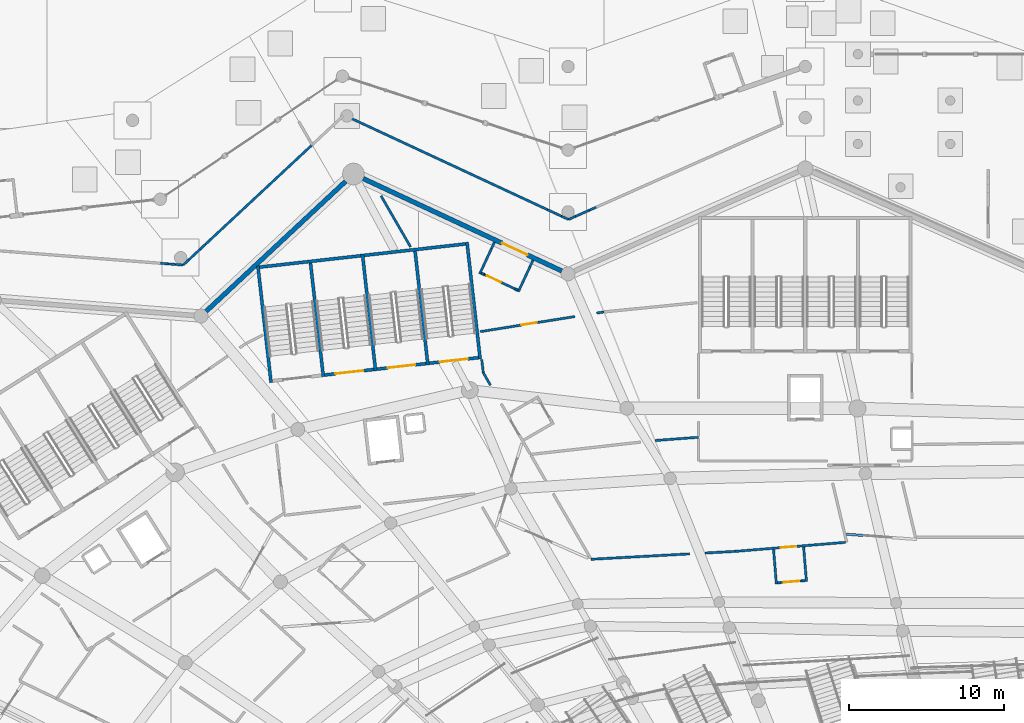
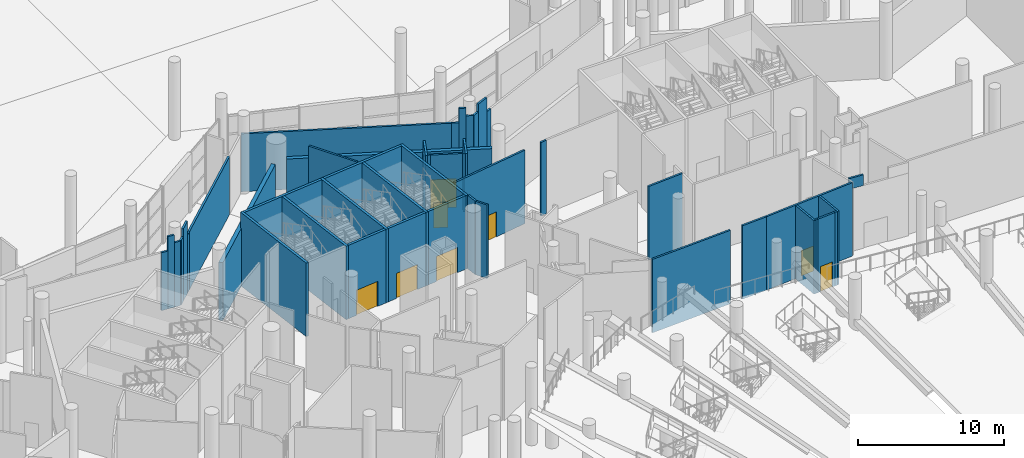
# One storey, part 141 of 255: 48 walls, 8 doors, 8 openings.
"""IFC4 building model written with IfcOpenShell, lengths in metres."""

from ifc_helpers import new_model, si_unit, direction, frame, frame_2d, origin, place, context, subcontext, project, spatial, rectangle, extrude, material, layer, layer_set, type_object, element, fill, save


model = new_model("IFC4")

# Units and contexts
model_context = context("Model", 3, precision=1e-05, world=origin(), true_north=direction((0.0, 1.0)))
body_context = subcontext(model_context, "Body", "Model", "MODEL_VIEW")
ifc_project = project(units=[si_unit("LENGTHUNIT", "METRE"), si_unit("AREAUNIT", "SQUARE_METRE"), si_unit("VOLUMEUNIT", "CUBIC_METRE"), si_unit("PLANEANGLEUNIT", "RADIAN"), si_unit("MASSUNIT", "GRAM", prefix="KILO")], contexts=[model_context])

# Site, building, storey
site_placement = place(None, origin())
site = spatial("IfcSite", under=ifc_project, at=site_placement, CompositionType="ELEMENT")
building_placement = place(site_placement, origin())
building = spatial("IfcBuilding", under=site, at=building_placement, Name="Meseta Stadium", CompositionType="ELEMENT")
storey_placement = place(building_placement, origin())
storey = spatial("IfcBuildingStorey", under=building, at=storey_placement, Name="L00", CompositionType="ELEMENT", Elevation=0.0)

# Walls
ifc_material_1 = material(Name="Concrete C40/50", Category="concrete")
ifc_layer_1 = layer(ifc_material_1, 0.199951171875)
ifc_layer_set_1 = layer_set([ifc_layer_1], Name="Core divider wall 200")
wall_type_1 = type_object("IfcWallType", Name="Core divider wall 200", PredefinedType="SHEAR", material=ifc_layer_set_1)
wall_1_placement = place(storey_placement, frame((-48.241943359375, 100.264892578125, 0.0), z_axis=(0.0, 0.0, 1.0), x_axis=(0.111954577255, -0.993713325176, 0.0)))
element("IfcWall", 1, at=wall_1_placement, inside=storey, type_object=wall_type_1, Name="Core 12 L00 stair A divider wall", PredefinedType="SHEAR", context=body_context, shape_type="SweptSolid", body=[
    extrude(rectangle(XDim=7.599853515625, YDim=0.199951171875, at=frame_2d((3.7998046875, 0.0))), origin(), (0.0, 0.0, 1.0), 6.14990234375),
])
wall_2_placement = place(storey_placement, frame((-54.999267578125, 99.503662109375, 0.0), z_axis=(0.0, 0.0, 1.0), x_axis=(0.111982724367, -0.993710153638, 0.0)))
element("IfcWall", 2, at=wall_2_placement, inside=storey, type_object=wall_type_1, Name="Core 12 L00 stair B divider wall", PredefinedType="SHEAR", context=body_context, shape_type="SweptSolid", body=[
    extrude(rectangle(XDim=7.60009765625, YDim=0.199951171875, at=frame_2d((3.800048828125, 0.0))), origin(), (0.0, 0.0, 1.0), 6.14990234375),
])
ifc_material_2 = material(Name="Concrete C40/50", Category="concrete")
ifc_layer_2 = layer(ifc_material_2, 0.199951171875)
ifc_layer_set_2 = layer_set([ifc_layer_2], Name="Core shaft wall 200")
wall_type_2 = type_object("IfcWallType", Name="Core shaft wall 200", PredefinedType="SHEAR", material=ifc_layer_set_2)
wall_3_placement = place(storey_placement, frame((-44.86328125, 100.645751953125, 0.0), z_axis=(0.0, 0.0, 1.0), x_axis=(0.111951003472, -0.993713727802, 0.0)))
element("IfcWall", 3, at=wall_3_placement, inside=storey, type_object=wall_type_2, Name="Core 12 L00 stair wall A-side", PredefinedType="SHEAR", context=body_context, shape_type="SweptSolid", body=[
    extrude(rectangle(XDim=7.60009765625, YDim=0.199951171875, at=frame_2d((3.800048828125, 0.0))), origin(), (0.0, 0.0, 1.0), 6.14990234375),
])
wall_4_placement = place(storey_placement, frame((-51.62060546875, 99.884521484375, 0.0), z_axis=(0.0, 0.0, 1.0), x_axis=(0.111947429915, -0.993714130389, 0.0)))
element("IfcWall", 4, at=wall_4_placement, inside=storey, type_object=wall_type_2, Name="Core 12 L00 stair wall shared", PredefinedType="SHEAR", context=body_context, shape_type="SweptSolid", body=[
    extrude(rectangle(XDim=7.600341796875, YDim=0.199951171875, at=frame_2d((3.80029296875, 0.0))), origin(), (0.0, 0.0, 1.0), 6.14990234375),
])
wall_5_placement = place(storey_placement, frame((-58.3779296875, 99.123046875, 0.0), z_axis=(0.0, 0.0, 1.0), x_axis=(0.111982724367, -0.993710153638, 0.0)))
element("IfcWall", 5, at=wall_5_placement, inside=storey, type_object=wall_type_2, Name="Core 12 L00 stair wall B-side", PredefinedType="SHEAR", context=body_context, shape_type="SweptSolid", body=[
    extrude(rectangle(XDim=7.60009765625, YDim=0.199951171875, at=frame_2d((3.800048828125, 0.0))), origin(), (0.0, 0.0, 1.0), 6.14990234375),
])
for number, where, z_axis, x_axis, name in (
    (6, (-44.951416015625, 100.53515625, 0.0), (0.0, 0.0, 1.0), (-0.993711575492, -0.111970106426, 0.0), "Core 12 L00 stair A outer end wall"),
    (7, (-51.708740234375, 99.773681640625, 0.0), (0.0, 0.0, 1.0), (-0.993715690617, -0.111933579504, 0.0), "Core 12 L00 stair B outer end wall"),
):
    element("IfcWall", number, at=place(storey_placement, frame(where, z_axis=z_axis, x_axis=x_axis)), inside=storey, type_object=wall_type_2, Name=name, PredefinedType="SHEAR", context=body_context, shape_type="SweptSolid", body=[
        extrude(rectangle(XDim=6.60009765625, YDim=0.199951171875, at=frame_2d((3.300048828125, 0.0))), origin(), (0.0, 0.0, 1.0), 6.14990234375),
    ])

# Wall, opening, door
wall_6_placement = place(storey_placement, frame((-44.123046875, 93.181640625, 0.0), z_axis=(0.0, 0.0, 1.0), x_axis=(-0.993717005286, -0.11192190762, 0.0)))
wall_6 = element("IfcWall", 8, at=wall_6_placement, inside=storey, type_object=wall_type_2, Name="Core 12 L00 stair A1 inner end wall", PredefinedType="SHEAR", context=body_context, shape_type="SweptSolid", body=[
    extrude(rectangle(XDim=3.199951171875, YDim=0.199951171875, at=frame_2d((1.60009765625, 0.0))), origin(), (0.0, 0.0, 1.0), 6.14990234375),
])
opening_1_placement = place(wall_6_placement, frame((0.699951171875, 0.0, 0.0)))
opening_1 = element("IfcOpeningElement", 9, at=opening_1_placement, cuts=wall_6, Name="Opening D167", PredefinedType="OPENING", context=body_context, shape_type="SweptSolid", body=[
    extrude(rectangle(XDim=1.800048828125, YDim=2.10009765625, at=frame_2d((0.89990234375, 1.050048828125))), frame((0.0, 0.10986328125, 0.0), z_axis=(0.0, -1.0, 0.0), x_axis=(1.0, 0.0, 0.0)), (0.0, 0.0, 1.0), 0.219970703125),
])
ifc_material_3 = material(Name="Steel", Category="steel")
door_type_1 = type_object("IfcDoorType", Name="Stair door 1800x2100", OperationType="DOUBLE_DOOR_SINGLE_SWING", PredefinedType="DOOR", material=ifc_material_3)
door_1_placement = place(opening_1_placement, origin())
door_1 = element("IfcDoor", 10, at=door_1_placement, inside=storey, type_object=door_type_1, Name="Stair A1 door 12 L00", OperationType="DOUBLE_DOOR_SINGLE_SWING", OverallHeight=2.10009765625, OverallWidth=1.800048828125, PredefinedType="DOOR", context=body_context, shape_type="SweptSolid", body=[
    extrude(rectangle(XDim=1.800048828125, YDim=2.10009765625, at=frame_2d((0.89990234375, 1.050048828125))), frame((0.0, 0.02490234375, 0.0), z_axis=(0.0, -1.0, 0.0), x_axis=(1.0, 0.0, 0.0)), (0.0, 0.0, 1.0), 0.050048828125),
])
fill(opening_1, door_1)

wall_7_placement = place(storey_placement, frame((-47.501708984375, 92.801025390625, 0.0), z_axis=(0.0, 0.0, 1.0), x_axis=(-0.993707560215, -0.112005735442, 0.0)))
wall_7 = element("IfcWall", 11, at=wall_7_placement, inside=storey, type_object=wall_type_2, Name="Core 12 L00 stair A2 inner end wall", PredefinedType="SHEAR", context=body_context, shape_type="SweptSolid", body=[
    extrude(rectangle(XDim=3.19970703125, YDim=0.199951171875, at=frame_2d((1.599853515625, 0.0))), origin(), (0.0, 0.0, 1.0), 6.14990234375),
])
opening_2_placement = place(wall_7_placement, frame((0.699951171875, 0.0, 0.0)))
opening_2 = element("IfcOpeningElement", 12, at=opening_2_placement, cuts=wall_7, Name="Opening D168", PredefinedType="OPENING", context=body_context, shape_type="SweptSolid", body=[
    extrude(rectangle(XDim=1.800048828125, YDim=2.10009765625, at=frame_2d((0.89990234375, 1.050048828125))), frame((0.0, 0.10986328125, 0.0), z_axis=(0.0, -1.0, 0.0), x_axis=(1.0, 0.0, 0.0)), (0.0, 0.0, 1.0), 0.219970703125),
])
door_2_placement = place(opening_2_placement, origin())
door_2 = element("IfcDoor", 13, at=door_2_placement, inside=storey, type_object=door_type_1, Name="Stair A2 door 12 L00", OperationType="DOUBLE_DOOR_SINGLE_SWING", OverallHeight=2.10009765625, OverallWidth=1.800048828125, PredefinedType="DOOR", context=body_context, shape_type="SweptSolid", body=[
    extrude(rectangle(XDim=1.800048828125, YDim=2.10009765625, at=frame_2d((0.89990234375, 1.050048828125))), frame((0.0, 0.02490234375, 0.0), z_axis=(0.0, -1.0, 0.0), x_axis=(1.0, 0.0, 0.0)), (0.0, 0.0, 1.0), 0.050048828125),
])
fill(opening_2, door_2)

wall_8_placement = place(storey_placement, frame((-50.88037109375, 92.42041015625, 0.0), z_axis=(0.0, 0.0, 1.0), x_axis=(-0.993707560215, -0.112005735442, 0.0)))
wall_8 = element("IfcWall", 14, at=wall_8_placement, inside=storey, type_object=wall_type_2, Name="Core 12 L00 stair B1 inner end wall", PredefinedType="SHEAR", context=body_context, shape_type="SweptSolid", body=[
    extrude(rectangle(XDim=3.19970703125, YDim=0.199951171875, at=frame_2d((1.599853515625, 0.0))), origin(), (0.0, 0.0, 1.0), 6.14990234375),
])
opening_3_placement = place(wall_8_placement, frame((0.699951171875, 0.0, 0.0)))
opening_3 = element("IfcOpeningElement", 15, at=opening_3_placement, cuts=wall_8, Name="Opening D169", PredefinedType="OPENING", context=body_context, shape_type="SweptSolid", body=[
    extrude(rectangle(XDim=1.800048828125, YDim=2.10009765625, at=frame_2d((0.89990234375, 1.050048828125))), frame((0.0, 0.10986328125, 0.0), z_axis=(0.0, -1.0, 0.0), x_axis=(1.0, 0.0, 0.0)), (0.0, 0.0, 1.0), 0.219970703125),
])
door_3_placement = place(opening_3_placement, origin())
door_3 = element("IfcDoor", 16, at=door_3_placement, inside=storey, type_object=door_type_1, Name="Stair B1 door 12 L00", OperationType="DOUBLE_DOOR_SINGLE_SWING", OverallHeight=2.10009765625, OverallWidth=1.800048828125, PredefinedType="DOOR", context=body_context, shape_type="SweptSolid", body=[
    extrude(rectangle(XDim=1.800048828125, YDim=2.10009765625, at=frame_2d((0.89990234375, 1.050048828125))), frame((0.0, 0.02490234375, 0.0), z_axis=(0.0, -1.0, 0.0), x_axis=(1.0, 0.0, 0.0)), (0.0, 0.0, 1.0), 0.050048828125),
])
fill(opening_3, door_3)

# Wall
ifc_material_4 = material(Name="Masonry blockwork", Category="masonry")
ifc_layer_3 = layer(ifc_material_4, 0.14990234375)
ifc_layer_set_3 = layer_set([ifc_layer_3], Name="Partition 150")
wall_type_3 = type_object("IfcWallType", Name="Partition 150", PredefinedType="PARTITIONING", material=ifc_layer_set_3)
wall_9_placement = place(storey_placement, frame((-32.710205078125, 87.82958984375, 0.0), z_axis=(0.0, 0.0, 1.0), x_axis=(0.997265626559, 0.07390040652, 0.0)))
element("IfcWall", 17, at=wall_9_placement, inside=storey, type_object=wall_type_3, Name="Partition L00 L00-cell10-1-0", PredefinedType="PARTITIONING", context=body_context, shape_type="SweptSolid", body=[
    extrude(rectangle(XDim=2.818115234375, YDim=0.14990234375, at=frame_2d((1.4091796875, 0.0))), origin(), (0.0, 0.0, 1.0), 6.14990234375),
])

# Wall, opening, door
wall_10_placement = place(storey_placement, frame((-20.397705078125, 81.247802734375, 0.0), z_axis=(0.0, 0.0, 1.0), x_axis=(-0.99666312122, -0.081624890812, 0.0)))
wall_10 = element("IfcWall", 18, at=wall_10_placement, inside=storey, type_object=wall_type_3, Name="Partition L00 L00-cell10-1-0", PredefinedType="PARTITIONING", context=body_context, shape_type="SweptSolid", body=[
    extrude(rectangle(XDim=7.154541015625, YDim=0.14990234375, at=frame_2d((3.5771484375, 0.0))), origin(), (0.0, 0.0, 1.0), 6.14990234375),
])
opening_4_placement = place(wall_10_placement, frame((3.199951171875, 0.0, 0.0)))
opening_4 = element("IfcOpeningElement", 19, at=opening_4_placement, cuts=wall_10, Name="Opening D562", PredefinedType="OPENING", context=body_context, shape_type="SweptSolid", body=[
    extrude(rectangle(XDim=1.0, YDim=2.10009765625, at=frame_2d((0.5, 1.050048828125))), frame((0.0, 0.0849609375, 0.0), z_axis=(0.0, -1.0, 0.0), x_axis=(1.0, 0.0, 0.0)), (0.0, 0.0, 1.0), 0.169921875),
])
ifc_material_5 = material(Name="Steel", Category="steel")
door_type_2 = type_object("IfcDoorType", Name="Fire door 1000x2100 EI2 60", OperationType="NOTDEFINED", PredefinedType="DOOR", material=ifc_material_5)
door_4_placement = place(opening_4_placement, origin())
door_4 = element("IfcDoor", 20, at=door_4_placement, inside=storey, type_object=door_type_2, Name="Door D562", OperationType="SINGLE_SWING_RIGHT", OverallHeight=2.10009765625, OverallWidth=1.0, PredefinedType="DOOR", context=body_context, shape_type="SweptSolid", body=[
    extrude(rectangle(XDim=1.0, YDim=2.10009765625, at=frame_2d((0.5, 1.050048828125))), frame((0.0, 0.02490234375, 0.0), z_axis=(0.0, -1.0, 0.0), x_axis=(1.0, 0.0, 0.0)), (0.0, 0.0, 1.0), 0.050048828125),
])
fill(opening_4, door_4)

# Walls
wall_11_placement = place(storey_placement, frame((-27.5283203125, 80.663818359375, 0.0), z_axis=(0.0, 0.0, 1.0), x_axis=(-0.99850252447, -0.054705654435, 0.0)))
element("IfcWall", 21, at=wall_11_placement, inside=storey, type_object=wall_type_3, Name="Partition L00 L00-cell10-1-0", PredefinedType="PARTITIONING", context=body_context, shape_type="SweptSolid", body=[
    extrude(rectangle(XDim=1.963623046875, YDim=0.14990234375, at=frame_2d((0.98193359375, 0.0))), origin(), (0.0, 0.0, 1.0), 6.14990234375),
])
wall_12_placement = place(storey_placement, frame((-30.469482421875, 80.502685546875, 0.0), z_axis=(0.0, 0.0, 1.0), x_axis=(-0.998504870622, -0.054662815007, 0.0)))
element("IfcWall", 22, at=wall_12_placement, inside=storey, type_object=wall_type_3, Name="Partition L00 L00-cell10-1-0", PredefinedType="PARTITIONING", context=body_context, shape_type="SweptSolid", body=[
    extrude(rectangle(XDim=6.38232421875, YDim=0.14990234375, at=frame_2d((3.191162109375, 0.0))), origin(), (0.0, 0.0, 1.0), 6.14990234375),
])

# Wall, opening, door
wall_13_placement = place(storey_placement, frame((-37.891357421875, 95.841064453125, 0.0), z_axis=(0.0, 0.0, 1.0), x_axis=(-0.987522859615, -0.157475717929, 0.0)))
wall_13 = element("IfcWall", 23, at=wall_13_placement, inside=storey, type_object=wall_type_3, Name="Partition L00 L00-cell10-2-0", PredefinedType="PARTITIONING", context=body_context, shape_type="SweptSolid", body=[
    extrude(rectangle(XDim=6.19677734375, YDim=0.14990234375, at=frame_2d((3.098388671875, 0.0))), origin(), (0.0, 0.0, 1.0), 6.14990234375),
])
opening_5_placement = place(wall_13_placement, frame((2.496826171875, 0.0, 0.0)))
opening_5 = element("IfcOpeningElement", 24, at=opening_5_placement, cuts=wall_13, Name="Opening D564", PredefinedType="OPENING", context=body_context, shape_type="SweptSolid", body=[
    extrude(rectangle(XDim=1.0, YDim=2.10009765625, at=frame_2d((0.5, 1.050048828125))), frame((0.0, 0.0849609375, 0.0), z_axis=(0.0, -1.0, 0.0), x_axis=(1.0, 0.0, 0.0)), (0.0, 0.0, 1.0), 0.169921875),
])
door_5_placement = place(opening_5_placement, origin())
door_5 = element("IfcDoor", 25, at=door_5_placement, inside=storey, type_object=door_type_2, Name="Door D564", OperationType="SINGLE_SWING_LEFT", OverallHeight=2.10009765625, OverallWidth=1.0, PredefinedType="DOOR", context=body_context, shape_type="SweptSolid", body=[
    extrude(rectangle(XDim=1.0, YDim=2.10009765625, at=frame_2d((0.5, 1.050048828125))), frame((0.0, 0.02490234375, 0.0), z_axis=(0.0, -1.0, 0.0), x_axis=(1.0, 0.0, 0.0)), (0.0, 0.0, 1.0), 0.050048828125),
])
fill(opening_5, door_5)

# Walls
wall_14_placement = place(storey_placement, frame((-36.479248046875, 96.066162109375, 0.0), z_axis=(0.0, 0.0, 1.0), x_axis=(0.987478956235, 0.157750787614, 0.0)))
element("IfcWall", 26, at=wall_14_placement, inside=storey, type_object=wall_type_3, Name="Partition L00 L00-cell10-2-0", PredefinedType="PARTITIONING", context=body_context, shape_type="SweptSolid", body=[
    extrude(rectangle(XDim=0.4765625, YDim=0.14990234375, at=frame_2d((0.23828125, 0.0))), origin(), (0.0, 0.0, 1.0), 6.14990234375),
])
wall_15_placement = place(storey_placement, frame((-43.346435546875, 91.406005859375, 0.0), z_axis=(0.0, 0.0, 1.0), x_axis=(-0.500395505551, 0.865796938101, 0.0)))
element("IfcWall", 27, at=wall_15_placement, inside=storey, type_object=wall_type_3, Name="Partition L00 L00-cell10-2-0", PredefinedType="PARTITIONING", context=body_context, shape_type="SweptSolid", body=[
    extrude(rectangle(XDim=0.931396484375, YDim=0.14990234375, at=frame_2d((0.4658203125, 0.0))), origin(), (0.0, 0.0, 1.0), 6.14990234375),
])
wall_16_placement = place(storey_placement, frame((-43.8125, 92.21240234375, 0.0), z_axis=(0.0, 0.0, 1.0), x_axis=(-0.112117924941, 0.993694908363, 0.0)))
element("IfcWall", 28, at=wall_16_placement, inside=storey, type_object=wall_type_3, Name="Partition L00 L00-cell10-2-0", PredefinedType="PARTITIONING", context=body_context, shape_type="SweptSolid", body=[
    extrude(rectangle(XDim=0.85791015625, YDim=0.14990234375, at=frame_2d((0.428955078125, 0.0))), origin(), (0.0, 0.0, 1.0), 6.14990234375),
])
wall_17_placement = place(storey_placement, frame((-48.508056640625, 100.335693359375, 0.0), z_axis=(0.0, 0.0, 1.0), x_axis=(-0.500439359674, 0.865771590715, 0.0)))
element("IfcWall", 29, at=wall_17_placement, inside=storey, type_object=wall_type_3, Name="Partition L00 L00-cell10-3-0", PredefinedType="PARTITIONING", context=body_context, shape_type="SweptSolid", body=[
    extrude(rectangle(XDim=3.82177734375, YDim=0.14990234375, at=frame_2d((1.910888671875, 0.0))), origin(), (0.0, 0.0, 1.0), 6.14990234375),
])
wall_18_placement = place(storey_placement, frame((-36.51904296875, 102.905029296875, 0.0), z_axis=(0.0, 0.0, 1.0), x_axis=(-0.914203605886, -0.405255187486, 0.0)))
element("IfcWall", 30, at=wall_18_placement, inside=storey, type_object=wall_type_3, Name="Partition L00 L00-ring10-0", PredefinedType="PARTITIONING", context=body_context, shape_type="SweptSolid", body=[
    extrude(rectangle(XDim=0.4873046875, YDim=0.14990234375, at=frame_2d((0.24365234375, 0.0))), origin(), (0.0, 0.0, 1.0), 4.85009765625),
])
wall_19_placement = place(storey_placement, frame((-36.964599609375, 102.70751953125, 0.0), z_axis=(0.0, 0.0, 1.0), x_axis=(-0.914193086295, -0.4052789175, 0.0)))
element("IfcWall", 31, at=wall_19_placement, inside=storey, type_object=wall_type_3, Name="Partition L00 L00-ring10-0", PredefinedType="PARTITIONING", context=body_context, shape_type="SweptSolid", body=[
    extrude(rectangle(XDim=0.975341796875, YDim=0.14990234375, at=frame_2d((0.48779296875, 0.0))), origin(), (0.0, 0.0, 1.0), 6.050048828125),
])
wall_20_placement = place(storey_placement, frame((-37.856201171875, 102.312255859375, 0.0), z_axis=(0.0, 0.0, 1.0), x_axis=(-0.914017959029, -0.405673724281, 0.0)))
element("IfcWall", 32, at=wall_20_placement, inside=storey, type_object=wall_type_3, Name="Partition L00 L00-ring10-0", PredefinedType="PARTITIONING", context=body_context, shape_type="SweptSolid", body=[
    extrude(rectangle(XDim=0.487548828125, YDim=0.14990234375, at=frame_2d((0.24365234375, 0.0))), origin(), (0.0, 0.0, 1.0), 5.39990234375),
])
wall_21_placement = place(storey_placement, frame((-38.3017578125, 102.114501953125, 0.0), z_axis=(0.0, 0.0, 1.0), x_axis=(-0.90658206108, 0.422029580158, 0.0)))
element("IfcWall", 33, at=wall_21_placement, inside=storey, type_object=wall_type_3, Name="Partition L00 L00-ring10-0", PredefinedType="PARTITIONING", context=body_context, shape_type="SweptSolid", body=[
    extrude(rectangle(XDim=0.499755859375, YDim=0.14990234375, at=frame_2d((0.25, 0.0))), origin(), (0.0, 0.0, 1.0), 5.39990234375),
])
wall_22_placement = place(storey_placement, frame((-38.7548828125, 102.325439453125, 0.0), z_axis=(0.0, 0.0, 1.0), x_axis=(-0.906755828453, 0.421656101067, 0.0)))
element("IfcWall", 34, at=wall_22_placement, inside=storey, type_object=wall_type_3, Name="Partition L00 L00-ring10-0", PredefinedType="PARTITIONING", context=body_context, shape_type="SweptSolid", body=[
    extrude(rectangle(XDim=0.500244140625, YDim=0.14990234375, at=frame_2d((0.25, 0.0))), origin(), (0.0, 0.0, 1.0), 6.050048828125),
])
wall_23_placement = place(storey_placement, frame((-39.20849609375, 102.536376953125, 0.0), z_axis=(0.0, 0.0, 1.0), x_axis=(-0.90658206108, 0.422029580158, 0.0)))
element("IfcWall", 35, at=wall_23_placement, inside=storey, type_object=wall_type_3, Name="Partition L00 L00-ring10-0", PredefinedType="PARTITIONING", context=body_context, shape_type="SweptSolid", body=[
    extrude(rectangle(XDim=0.499755859375, YDim=0.14990234375, at=frame_2d((0.25, 0.0))), origin(), (0.0, 0.0, 1.0), 4.85009765625),
])
wall_24_placement = place(storey_placement, frame((-39.66162109375, 102.747314453125, 0.0), z_axis=(0.0, 0.0, 1.0), x_axis=(-0.906705987017, 0.421763266664, 0.0)))
element("IfcWall", 36, at=wall_24_placement, inside=storey, type_object=wall_type_3, Name="Partition L00 L00-ring10-0", PredefinedType="PARTITIONING", context=body_context, shape_type="SweptSolid", body=[
    extrude(rectangle(XDim=14.49853515625, YDim=0.14990234375, at=frame_2d((7.249267578125, 0.0))), origin(), (0.0, 0.0, 1.0), 4.85009765625),
])
wall_25_placement = place(storey_placement, frame((-54.904296875, 106.908203125, 0.0), z_axis=(0.0, 0.0, 1.0), x_axis=(-0.731553048923, -0.681784523594, 0.0)))
element("IfcWall", 37, at=wall_25_placement, inside=storey, type_object=wall_type_3, Name="Partition L00 L00-ring11-0", PredefinedType="PARTITIONING", context=body_context, shape_type="SweptSolid", body=[
    extrude(rectangle(XDim=9.37451171875, YDim=0.14990234375, at=frame_2d((4.687255859375, 0.0))), origin(), (0.0, 0.0, 1.0), 4.85009765625),
])
wall_26_placement = place(storey_placement, frame((-61.76220703125, 100.516845703125, 0.0), z_axis=(0.0, 0.0, 1.0), x_axis=(-0.731417207669, -0.681930251805, 0.0)))
element("IfcWall", 38, at=wall_26_placement, inside=storey, type_object=wall_type_3, Name="Partition L00 L00-ring11-0", PredefinedType="PARTITIONING", context=body_context, shape_type="SweptSolid", body=[
    extrude(rectangle(XDim=0.493408203125, YDim=0.14990234375, at=frame_2d((0.24658203125, 0.0))), origin(), (0.0, 0.0, 1.0), 4.85009765625),
])
wall_27_placement = place(storey_placement, frame((-62.123046875, 100.180419921875, 0.0), z_axis=(0.0, 0.0, 1.0), x_axis=(-0.731655638736, -0.681674428379, 0.0)))
element("IfcWall", 39, at=wall_27_placement, inside=storey, type_object=wall_type_3, Name="Partition L00 L00-ring11-0", PredefinedType="PARTITIONING", context=body_context, shape_type="SweptSolid", body=[
    extrude(rectangle(XDim=0.98681640625, YDim=0.14990234375, at=frame_2d((0.493408203125, 0.0))), origin(), (0.0, 0.0, 1.0), 6.050048828125),
])
wall_28_placement = place(storey_placement, frame((-62.844970703125, 99.5078125, 0.0), z_axis=(0.0, 0.0, 1.0), x_axis=(-0.731417207669, -0.681930251805, 0.0)))
element("IfcWall", 40, at=wall_28_placement, inside=storey, type_object=wall_type_3, Name="Partition L00 L00-ring11-0", PredefinedType="PARTITIONING", context=body_context, shape_type="SweptSolid", body=[
    extrude(rectangle(XDim=0.493408203125, YDim=0.14990234375, at=frame_2d((0.24658203125, 0.0))), origin(), (0.0, 0.0, 1.0), 5.39990234375),
])
wall_29_placement = place(storey_placement, frame((-63.205810546875, 99.17138671875, 0.0), z_axis=(0.0, 0.0, 1.0), x_axis=(-0.997051534558, 0.076734851503, 0.0)))
element("IfcWall", 41, at=wall_29_placement, inside=storey, type_object=wall_type_3, Name="Partition L00 L00-ring11-0", PredefinedType="PARTITIONING", context=body_context, shape_type="SweptSolid", body=[
    extrude(rectangle(XDim=0.48681640625, YDim=0.14990234375, at=frame_2d((0.243408203125, 0.0))), origin(), (0.0, 0.0, 1.0), 5.39990234375),
])
wall_30_placement = place(storey_placement, frame((-63.691162109375, 99.208740234375, 0.0), z_axis=(0.0, 0.0, 1.0), x_axis=(-0.997054485502, 0.076696498885, 0.0)))
element("IfcWall", 42, at=wall_30_placement, inside=storey, type_object=wall_type_3, Name="Partition L00 L00-ring11-0", PredefinedType="PARTITIONING", context=body_context, shape_type="SweptSolid", body=[
    extrude(rectangle(XDim=0.487060546875, YDim=0.14990234375, at=frame_2d((0.24365234375, 0.0))), origin(), (0.0, 0.0, 1.0), 6.050048828125),
])
wall_31_placement = place(storey_placement, frame((-64.1767578125, 99.24609375, 0.0), z_axis=(0.0, 0.0, 1.0), x_axis=(-0.99701303965, 0.07723340448, 0.0)))
element("IfcWall", 43, at=wall_31_placement, inside=storey, type_object=wall_type_3, Name="Partition L00 L00-ring11-0", PredefinedType="PARTITIONING", context=body_context, shape_type="SweptSolid", body=[
    extrude(rectangle(XDim=0.48681640625, YDim=0.14990234375, at=frame_2d((0.243408203125, 0.0))), origin(), (0.0, 0.0, 1.0), 4.85009765625),
])
wall_32_placement = place(storey_placement, frame((-23.107421875, 80.95068359375, 0.0), z_axis=(0.0, 0.0, 1.0), x_axis=(0.081590765124, -0.996665915463, 0.0)))
element("IfcWall", 44, at=wall_32_placement, inside=storey, type_object=wall_type_3, Name="Partition L00 L00-cell10-1-0 vestibule", PredefinedType="PARTITIONING", context=body_context, shape_type="SweptSolid", body=[
    extrude(rectangle(XDim=2.250244140625, YDim=0.14990234375, at=frame_2d((1.125, 0.0))), origin(), (0.0, 0.0, 1.0), 6.14990234375),
])
wall_33_placement = place(storey_placement, frame((-25.05078125, 80.79150390625, 0.0), z_axis=(0.0, 0.0, 1.0), x_axis=(0.081599589024, -0.996665193067, 0.0)))
element("IfcWall", 45, at=wall_33_placement, inside=storey, type_object=wall_type_3, Name="Partition L00 L00-cell10-1-0 vestibule", PredefinedType="PARTITIONING", context=body_context, shape_type="SweptSolid", body=[
    extrude(rectangle(XDim=2.25, YDim=0.14990234375, at=frame_2d((1.125, 0.0))), origin(), (0.0, 0.0, 1.0), 6.14990234375),
])
wall_34_placement = place(storey_placement, frame((-23.004638671875, 78.776611328125, 0.0), z_axis=(0.0, 0.0, 1.0), x_axis=(-0.996752909031, -0.080521042835, 0.0)))
element("IfcWall", 46, at=wall_34_placement, inside=storey, type_object=wall_type_3, Name="Partition L00 L00-cell10-1-0 vestibule", PredefinedType="PARTITIONING", context=body_context, shape_type="SweptSolid", body=[
    extrude(rectangle(XDim=0.2001953125, YDim=0.14990234375, at=frame_2d((0.10009765625, 0.0))), origin(), (0.0, 0.0, 1.0), 6.14990234375),
])

# Wall, opening, door
wall_35_placement = place(storey_placement, frame((-23.2041015625, 78.760498046875, 0.0), z_axis=(0.0, 0.0, 1.0), x_axis=(-0.996663803184, -0.08161656341, 0.0)))
wall_35 = element("IfcWall", 47, at=wall_35_placement, inside=storey, type_object=wall_type_3, Name="Partition L00 L00-cell10-1-0 vestibule", PredefinedType="PARTITIONING", context=body_context, shape_type="SweptSolid", body=[
    extrude(rectangle(XDim=1.39990234375, YDim=0.14990234375, at=frame_2d((0.699951171875, 0.0))), origin(), (0.0, 0.0, 1.0), 6.14990234375),
])
opening_6_placement = place(wall_35_placement, frame((0.199951171875, 0.0, 0.0)))
opening_6 = element("IfcOpeningElement", 48, at=opening_6_placement, cuts=wall_35, Name="Opening D838", PredefinedType="OPENING", context=body_context, shape_type="SweptSolid", body=[
    extrude(rectangle(XDim=1.0, YDim=2.10009765625, at=frame_2d((0.5, 1.050048828125))), frame((0.0, 0.0849609375, 0.0), z_axis=(0.0, -1.0, 0.0), x_axis=(1.0, 0.0, 0.0)), (0.0, 0.0, 1.0), 0.169921875),
])
door_6_placement = place(opening_6_placement, origin())
door_6 = element("IfcDoor", 49, at=door_6_placement, inside=storey, type_object=door_type_2, Name="Vestibule door L00 L00-cell10-1-0", OperationType="SINGLE_SWING_RIGHT", OverallHeight=2.10009765625, OverallWidth=1.0, PredefinedType="DOOR", context=body_context, shape_type="SweptSolid", body=[
    extrude(rectangle(XDim=1.0, YDim=2.10009765625, at=frame_2d((0.5, 1.050048828125))), frame((0.0, 0.02490234375, 0.0), z_axis=(0.0, -1.0, 0.0), x_axis=(1.0, 0.0, 0.0)), (0.0, 0.0, 1.0), 0.050048828125),
])
fill(opening_6, door_6)

# Walls
wall_36_placement = place(storey_placement, frame((-24.599365234375, 78.646240234375, 0.0), z_axis=(0.0, 0.0, 1.0), x_axis=(-0.996646099789, -0.081832461625, 0.0)))
element("IfcWall", 50, at=wall_36_placement, inside=storey, type_object=wall_type_3, Name="Partition L00 L00-cell10-1-0 vestibule", PredefinedType="PARTITIONING", context=body_context, shape_type="SweptSolid", body=[
    extrude(rectangle(XDim=0.199951171875, YDim=0.14990234375, at=frame_2d((0.10009765625, 0.0))), origin(), (0.0, 0.0, 1.0), 6.14990234375),
])
wall_37_placement = place(storey_placement, frame((-43.0888671875, 100.646728515625, 0.0), z_axis=(0.0, 0.0, 1.0), x_axis=(-0.421429993288, -0.906860937938, 0.0)))
element("IfcWall", 51, at=wall_37_placement, inside=storey, type_object=wall_type_3, Name="Partition L00 L00-cell10-3-0 vestibule", PredefinedType="PARTITIONING", context=body_context, shape_type="SweptSolid", body=[
    extrude(rectangle(XDim=0.4501953125, YDim=0.14990234375, at=frame_2d((0.22509765625, 0.0))), origin(), (0.0, 0.0, 1.0), 4.85009765625),
])
wall_38_placement = place(storey_placement, frame((-43.278564453125, 100.238525390625, 0.0), z_axis=(0.0, 0.0, 1.0), x_axis=(-0.421860420743, -0.906660788504, 0.0)))
element("IfcWall", 52, at=wall_38_placement, inside=storey, type_object=wall_type_3, Name="Partition L00 L00-cell10-3-0 vestibule", PredefinedType="PARTITIONING", context=body_context, shape_type="SweptSolid", body=[
    extrude(rectangle(XDim=1.7998046875, YDim=0.14990234375, at=frame_2d((0.89990234375, 0.0))), origin(), (0.0, 0.0, 1.0), 6.14990234375),
])
wall_39_placement = place(storey_placement, frame((-40.595458984375, 99.48681640625, 0.0), z_axis=(0.0, 0.0, 1.0), x_axis=(-0.42163737055, -0.90676453821, 0.0)))
element("IfcWall", 53, at=wall_39_placement, inside=storey, type_object=wall_type_3, Name="Partition L00 L00-cell10-3-0 vestibule", PredefinedType="PARTITIONING", context=body_context, shape_type="SweptSolid", body=[
    extrude(rectangle(XDim=0.449951171875, YDim=0.14990234375, at=frame_2d((0.22509765625, 0.0))), origin(), (0.0, 0.0, 1.0), 4.85009765625),
])
wall_40_placement = place(storey_placement, frame((-40.78515625, 99.078857421875, 0.0), z_axis=(0.0, 0.0, 1.0), x_axis=(-0.421697036053, -0.906736791899, 0.0)))
element("IfcWall", 54, at=wall_40_placement, inside=storey, type_object=wall_type_3, Name="Partition L00 L00-cell10-3-0 vestibule", PredefinedType="PARTITIONING", context=body_context, shape_type="SweptSolid", body=[
    extrude(rectangle(XDim=1.800048828125, YDim=0.14990234375, at=frame_2d((0.89990234375, 0.0))), origin(), (0.0, 0.0, 1.0), 6.14990234375),
])
wall_41_placement = place(storey_placement, frame((-43.93798828125, 98.642822265625, 0.0), z_axis=(0.0, 0.0, 1.0), x_axis=(0.906775442705, -0.421613918778, 0.0)))
element("IfcWall", 55, at=wall_41_placement, inside=storey, type_object=wall_type_3, Name="Partition L00 L00-cell10-3-0 vestibule", PredefinedType="PARTITIONING", context=body_context, shape_type="SweptSolid", body=[
    extrude(rectangle(XDim=0.19970703125, YDim=0.14990234375, at=frame_2d((0.099853515625, 0.0))), origin(), (0.0, 0.0, 1.0), 6.14990234375),
])

# Wall, opening, door
wall_42_placement = place(storey_placement, frame((-43.7568359375, 98.55859375, 0.0), z_axis=(0.0, 0.0, 1.0), x_axis=(0.906698414225, -0.421779546258, 0.0)))
wall_42 = element("IfcWall", 56, at=wall_42_placement, inside=storey, type_object=wall_type_3, Name="Partition L00 L00-cell10-3-0 vestibule", PredefinedType="PARTITIONING", context=body_context, shape_type="SweptSolid", body=[
    extrude(rectangle(XDim=2.2001953125, YDim=0.14990234375, at=frame_2d((1.10009765625, 0.0))), origin(), (0.0, 0.0, 1.0), 6.14990234375),
])
opening_7_placement = place(wall_42_placement, frame((0.199951171875, 0.0, 0.0)))
opening_7 = element("IfcOpeningElement", 57, at=opening_7_placement, cuts=wall_42, Name="Opening D840", PredefinedType="OPENING", context=body_context, shape_type="SweptSolid", body=[
    extrude(rectangle(XDim=1.0, YDim=2.10009765625, at=frame_2d((0.5, 1.050048828125))), frame((0.0, 0.0849609375, 0.0), z_axis=(0.0, -1.0, 0.0), x_axis=(1.0, 0.0, 0.0)), (0.0, 0.0, 1.0), 0.169921875),
])
door_7_placement = place(opening_7_placement, origin())
door_7 = element("IfcDoor", 58, at=door_7_placement, inside=storey, type_object=door_type_2, Name="Vestibule door L00 L00-cell10-3-0", OperationType="SINGLE_SWING_LEFT", OverallHeight=2.10009765625, OverallWidth=1.0, PredefinedType="DOOR", context=body_context, shape_type="SweptSolid", body=[
    extrude(rectangle(XDim=1.0, YDim=2.10009765625, at=frame_2d((0.5, 1.050048828125))), frame((0.0, 0.02490234375, 0.0), z_axis=(0.0, -1.0, 0.0), x_axis=(1.0, 0.0, 0.0)), (0.0, 0.0, 1.0), 0.050048828125),
])
fill(opening_7, door_7)

# Walls
wall_43_placement = place(storey_placement, frame((-41.761962890625, 97.630615234375, 0.0), z_axis=(0.0, 0.0, 1.0), x_axis=(0.906775442705, -0.421613918778, 0.0)))
element("IfcWall", 59, at=wall_43_placement, inside=storey, type_object=wall_type_3, Name="Partition L00 L00-cell10-3-0 vestibule", PredefinedType="PARTITIONING", context=body_context, shape_type="SweptSolid", body=[
    extrude(rectangle(XDim=0.19970703125, YDim=0.14990234375, at=frame_2d((0.099853515625, 0.0))), origin(), (0.0, 0.0, 1.0), 6.14990234375),
])
wall_44_placement = place(storey_placement, frame((-19.2470703125, 81.692138671875, 5.25), z_axis=(0.0, 0.0, 1.0), x_axis=(-0.997297350325, 0.073471048956, 0.0)))
element("IfcWall", 60, at=wall_44_placement, inside=storey, type_object=wall_type_3, Name="Escape corridor discharge wall L00 core 11", PredefinedType="PARTITIONING", context=body_context, shape_type="SweptSolid", body=[
    extrude(rectangle(XDim=1.099853515625, YDim=0.14990234375, at=frame_2d((0.5498046875, 0.0))), origin(), (0.0, 0.0, 1.0), 0.89990234375),
])

# Wall, opening, door
ifc_material_6 = material(Name="White precast concrete C40/50", Category="concrete")
ifc_layer_4 = layer(ifc_material_6, 0.300048828125)
ifc_layer_set_4 = layer_set([ifc_layer_4], Name="Pleated panel wall 300 concourse")
wall_type_4 = type_object("IfcWallType", Name="Pleated panel wall 300 concourse", PredefinedType="SOLIDWALL", material=ifc_layer_set_4)
wall_45_placement = place(storey_placement, frame((-51.56884765625, 104.7568359375, 0.0), z_axis=(0.0, 0.0, 1.0), x_axis=(0.906698705786, -0.421778919491, 0.0)))
wall_45 = element("IfcWall", 61, at=wall_45_placement, inside=storey, type_object=wall_type_4, Name="Pleated facade panel L00 F21", PredefinedType="SOLIDWALL", context=body_context, shape_type="SweptSolid", body=[
    extrude(rectangle(XDim=14.14794921875, YDim=0.300048828125, at=frame_2d((7.073974609375, 0.0))), origin(), (0.0, 0.0, 1.0), 4.85009765625),
])
opening_8_placement = place(wall_45_placement, frame((9.8974609375, 0.0, 0.0)))
opening_8 = element("IfcOpeningElement", 62, at=opening_8_placement, cuts=wall_45, Name="Opening D975", PredefinedType="OPENING", context=body_context, shape_type="SweptSolid", body=[
    extrude(rectangle(XDim=1.800048828125, YDim=2.39990234375, at=frame_2d((0.89990234375, 1.199951171875))), frame((0.0, 0.159912109375, 0.0), z_axis=(0.0, -1.0, 0.0), x_axis=(1.0, 0.0, 0.0)), (0.0, 0.0, 1.0), 0.320068359375),
])
ifc_material_7 = material(Name="Steel", Category="steel")
door_type_3 = type_object("IfcDoorType", Name="Fire double door 1800x2400 EI2 60", OperationType="DOUBLE_DOOR_SINGLE_SWING", PredefinedType="DOOR", material=ifc_material_7)
door_8_placement = place(opening_8_placement, origin())
door_8 = element("IfcDoor", 63, at=door_8_placement, inside=storey, type_object=door_type_3, Name="Concourse door", OperationType="DOUBLE_DOOR_SINGLE_SWING", OverallHeight=2.39990234375, OverallWidth=1.800048828125, PredefinedType="DOOR", context=body_context, shape_type="SweptSolid", body=[
    extrude(rectangle(XDim=1.800048828125, YDim=2.39990234375, at=frame_2d((0.89990234375, 1.199951171875))), frame((0.0, 0.02490234375, 0.0), z_axis=(0.0, -1.0, 0.0), x_axis=(1.0, 0.0, 0.0)), (0.0, 0.0, 1.0), 0.050048828125),
])
fill(opening_8, door_8)

# Wall
wall_46_placement = place(storey_placement, frame((-61.72265625, 96.17919921875, 0.0), z_axis=(0.0, 0.0, 1.0), x_axis=(0.731540985517, 0.681797467368, 0.0)))
element("IfcWall", 64, at=wall_46_placement, inside=storey, type_object=wall_type_4, Name="Pleated facade panel L00 F22", PredefinedType="SOLIDWALL", context=body_context, shape_type="SweptSolid", body=[
    extrude(rectangle(XDim=12.314208984375, YDim=0.300048828125, at=frame_2d((6.1572265625, 0.0))), origin(), (0.0, 0.0, 1.0), 4.85009765625),
])

save(model, "model.ifc")
